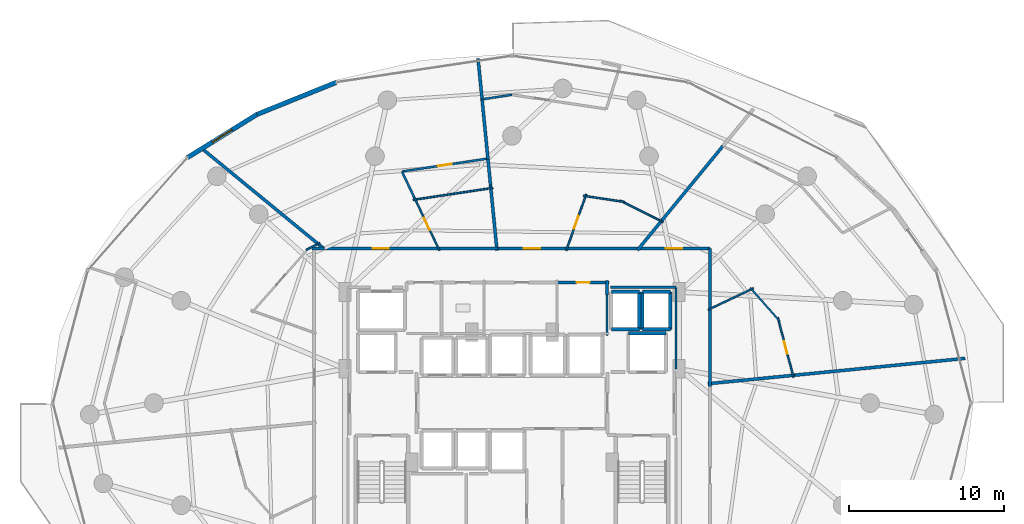
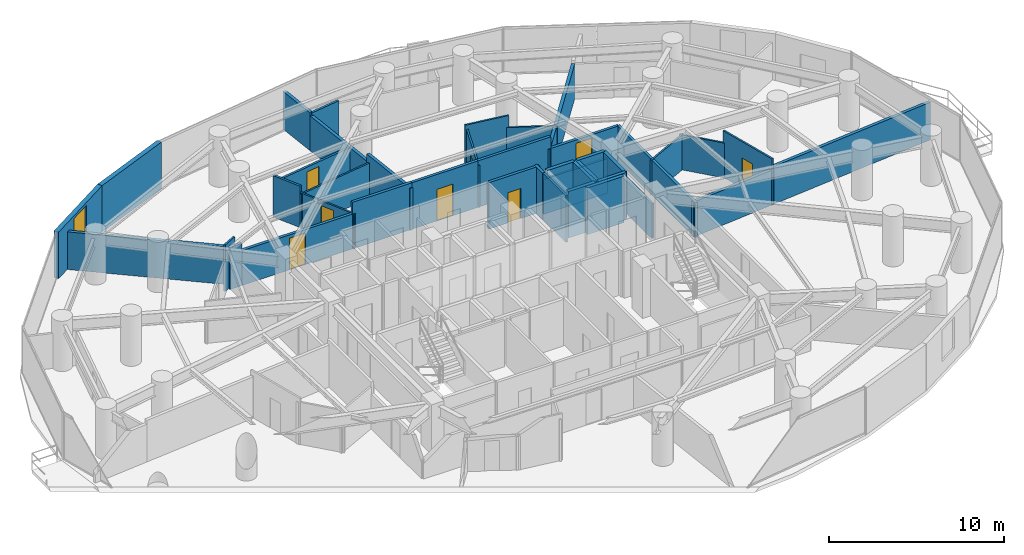
# One storey, part 26 of 30: 44 walls, 8 doors, 1 window, 9 openings.
"""IFC4 building model written with IfcOpenShell, lengths in metres."""

from ifc_helpers import new_model, si_unit, direction, frame, frame_2d, origin, place, context, subcontext, project, spatial, rectangle, extrude, material, layer, layer_set, type_object, element, fill, save


model = new_model("IFC4")

# Units and contexts
model_context = context("Model", 3, precision=1e-05, world=origin(), true_north=direction((0.0, 1.0)))
body_context = subcontext(model_context, "Body", "Model", "MODEL_VIEW")
ifc_project = project(units=[si_unit("LENGTHUNIT", "METRE"), si_unit("AREAUNIT", "SQUARE_METRE"), si_unit("VOLUMEUNIT", "CUBIC_METRE"), si_unit("PLANEANGLEUNIT", "RADIAN"), si_unit("MASSUNIT", "GRAM", prefix="KILO")], contexts=[model_context])

# Site, building, storey
site_placement = place(None, origin())
site = spatial("IfcSite", under=ifc_project, at=site_placement, CompositionType="ELEMENT")
building_placement = place(site_placement, origin())
building = spatial("IfcBuilding", under=site, at=building_placement, Name="Vorneva Point Tower", CompositionType="ELEMENT")
storey_placement = place(building_placement, frame((0.0, 0.0, 55.5)))
storey = spatial("IfcBuildingStorey", under=building, at=storey_placement, Name="L14", CompositionType="ELEMENT", Elevation=55.5)

# Walls
ifc_material_1 = material(Name="Concrete B60 (C50/60)", Category="concrete")
ifc_layer_1 = layer(ifc_material_1, 0.5)
ifc_layer_set_1 = layer_set([ifc_layer_1], Name="Concrete B60 (C50/60)")
wall_type_1 = type_object("IfcWallType", Name="WL-CORE-500", PredefinedType="SHEAR", material=ifc_layer_set_1)
wall_1_placement = place(storey_placement, frame((47.89990234375, 30.5, 0.0), z_axis=(0.0, 0.0, 1.0), x_axis=(-1.0, 0.0, 0.0)))
element("IfcWall", 1, at=wall_1_placement, inside=storey, type_object=wall_type_1, Name="L14 Lift FFL2 Shaft Wall +Y", PredefinedType="SHEAR", context=body_context, shape_type="SweptSolid", body=[
    extrude(rectangle(XDim=2.39990234375, YDim=0.219970703125, at=frame_2d((1.199951171875, 0.0))), origin(), (0.0, 0.0, 1.0), 3.239990234375),
])
ifc_material_2 = material(Name="Precast concrete B50 (C40/50)", Category="concrete")
ifc_layer_2 = layer(ifc_material_2, 0.300048828125)
ifc_layer_set_2 = layer_set([ifc_layer_2], Name="Precast concrete B50 (C40/50)")
wall_type_2 = type_object("IfcWallType", Name="WL-EXT-300", PredefinedType="STANDARD", material=ifc_layer_set_2)
wall_2_placement = place(storey_placement, frame((26.691650390625, 46.648681640625, 0.0), z_axis=(0.0, 0.0, 1.0), x_axis=(-0.927095325176, -0.374825636845, 0.0)))
element("IfcWall", 2, at=wall_2_placement, inside=storey, type_object=wall_type_2, Name="L14 Pale-Metal Facade Spandrel Wall 06.1", PredefinedType="STANDARD", context=body_context, shape_type="SweptSolid", body=[
    extrude(rectangle(XDim=5.51025390625, YDim=0.300048828125, at=frame_2d((2.755126953125, 0.0))), origin(), (0.0, 0.0, 1.0), 3.239990234375),
])

# Wall, opening, window
wall_3_placement = place(storey_placement, frame((21.5830078125, 44.583251953125, 0.0), z_axis=(0.0, 0.0, 1.0), x_axis=(-0.849633724826, -0.527373239404, 0.0)))
wall_3 = element("IfcWall", 3, at=wall_3_placement, inside=storey, type_object=wall_type_2, Name="L14 Pale-Metal Facade Spandrel Wall 06.2", PredefinedType="STANDARD", context=body_context, shape_type="SweptSolid", body=[
    extrude(rectangle(XDim=5.2705078125, YDim=0.300048828125, at=frame_2d((2.63525390625, 0.0))), origin(), (0.0, 0.0, 1.0), 3.239990234375),
])
opening_1_placement = place(wall_3_placement, frame((1.88525390625, 0.0, 0.85009765625)))
opening_1 = element("IfcOpeningElement", 4, at=opening_1_placement, cuts=wall_3, Name="Opening W-02", PredefinedType="OPENING", context=body_context, shape_type="SweptSolid", body=[
    extrude(rectangle(XDim=1.5, YDim=2.18994140625, at=frame_2d((0.75, 1.094970703125))), frame((0.0, 0.1650390625, 0.0), z_axis=(0.0, -1.0, 0.0), x_axis=(1.0, 0.0, 0.0)), (0.0, 0.0, 1.0), 0.329833984375),
])
ifc_material_3 = material(Name="Double low-e laminated glass IGU", Category="glass")
window_type = type_object("IfcWindowType", Name="WN-HTL-1500", PartitioningType="SINGLE_PANEL", PredefinedType="WINDOW", material=ifc_material_3)
window_placement = place(opening_1_placement, origin())
window = element("IfcWindow", 5, at=window_placement, inside=storey, type_object=window_type, Name="L14 Facade Window 06", OverallHeight=2.18994140625, OverallWidth=1.5, PartitioningType="SINGLE_PANEL", PredefinedType="WINDOW", context=body_context, shape_type="SweptSolid", body=[
    extrude(rectangle(XDim=1.5, YDim=2.18994140625, at=frame_2d((0.75, 1.094970703125))), frame((0.0, 0.030029296875, 0.0), z_axis=(0.0, -1.0, 0.0), x_axis=(1.0, 0.0, 0.0)), (0.0, 0.0, 1.0), 0.06005859375),
])
fill(opening_1, window)

# Walls
ifc_material_4 = material(Name="Fire-rated acoustic gypsum stud partition", Category="gypsum")
ifc_layer_3 = layer(ifc_material_4, 0.110107421875)
ifc_layer_set_3 = layer_set([ifc_layer_3], Name="Fire-rated acoustic gypsum stud partition")
wall_type_3 = type_object("IfcWallType", Name="WL-PART-110", PredefinedType="PARTITIONING", material=ifc_layer_set_3)
wall_4_placement = place(storey_placement, frame((50.62353515625, 32.0009765625, 0.0), z_axis=(0.0, 0.0, 1.0), x_axis=(0.903186785932, 0.429247748647, 0.0)))
element("IfcWall", 6, at=wall_4_placement, inside=storey, type_object=wall_type_3, Name="L14 Interior Partition 045", PredefinedType="PARTITIONING", context=body_context, shape_type="SweptSolid", body=[
    extrude(rectangle(XDim=3.23388671875, YDim=0.110107421875, at=frame_2d((1.616943359375, 0.0))), origin(), (0.0, 0.0, 1.0), 2.431884765625),
])
wall_5_placement = place(storey_placement, frame((53.3251953125, 33.433837890625, 0.0), z_axis=(0.0, 0.0, 1.0), x_axis=(0.661981720099, -0.749519981224, 0.0)))
element("IfcWall", 7, at=wall_5_placement, inside=storey, type_object=wall_type_3, Name="L14 Interior Partition 046", PredefinedType="PARTITIONING", context=body_context, shape_type="SweptSolid", body=[
    extrude(rectangle(XDim=2.89208984375, YDim=0.110107421875, at=frame_2d((1.446044921875, 0.0))), origin(), (0.0, 0.0, 1.0), 2.431884765625),
])

# Wall, opening, door
wall_6_placement = place(storey_placement, frame((55.111328125, 31.50634765625, 0.0), z_axis=(0.0, 0.0, 1.0), x_axis=(0.254405980461, -0.967097511684, 0.0)))
wall_6 = element("IfcWall", 8, at=wall_6_placement, inside=storey, type_object=wall_type_3, Name="L14 Interior Partition 047", PredefinedType="PARTITIONING", context=body_context, shape_type="SweptSolid", body=[
    extrude(rectangle(XDim=3.9912109375, YDim=0.110107421875, at=frame_2d((1.99560546875, 0.0))), origin(), (0.0, 0.0, 1.0), 3.239990234375),
])
opening_2_placement = place(wall_6_placement, frame((1.570556640625, 0.0, 0.0)))
opening_2 = element("IfcOpeningElement", 9, at=opening_2_placement, cuts=wall_6, Name="Opening ID-02", PredefinedType="OPENING", context=body_context, shape_type="SweptSolid", body=[
    extrude(rectangle(XDim=0.85009765625, YDim=2.10009765625, at=frame_2d((0.425048828125, 1.050048828125))), frame((0.0, 0.06982421875, 0.0), z_axis=(0.0, -1.0, 0.0), x_axis=(1.0, 0.0, 0.0)), (0.0, 0.0, 1.0), 0.139892578125),
])
ifc_material_5 = material(Name="Engineered oak fire-rated door leaf", Category="wood")
door_type_1 = type_object("IfcDoorType", Name="DR-BATH-850", OperationType="NOTDEFINED", PredefinedType="DOOR", material=ifc_material_5)
door_1_placement = place(opening_2_placement, origin())
door_1 = element("IfcDoor", 10, at=door_1_placement, inside=storey, type_object=door_type_1, Name="L14 Door Junior Suite L14-01 / En-Suite Bathroom L14-01", OperationType="SINGLE_SWING_RIGHT", OverallHeight=2.10009765625, OverallWidth=0.85009765625, PredefinedType="DOOR", context=body_context, shape_type="SweptSolid", body=[
    extrude(rectangle(XDim=0.85009765625, YDim=2.10009765625, at=frame_2d((0.425048828125, 1.050048828125))), frame((0.0, 0.02490234375, 0.0), z_axis=(0.0, -1.0, 0.0), x_axis=(1.0, 0.0, 0.0)), (0.0, 0.0, 1.0), 0.050048828125),
])
fill(opening_2, door_1)

wall_7_placement = place(storey_placement, frame((41.4912109375, 35.818115234375, 0.0), z_axis=(0.0, 0.0, 1.0), x_axis=(0.33515815105, 0.942161883004, 0.0)))
wall_7 = element("IfcWall", 11, at=wall_7_placement, inside=storey, type_object=wall_type_3, Name="L14 Interior Partition 056", PredefinedType="PARTITIONING", context=body_context, shape_type="SweptSolid", body=[
    extrude(rectangle(XDim=3.85986328125, YDim=0.110107421875, at=frame_2d((1.929931640625, 0.0))), origin(), (0.0, 0.0, 1.0), 2.928955078125),
])
opening_3_placement = place(wall_7_placement, frame((1.5048828125, 0.0, 0.0)))
opening_3 = element("IfcOpeningElement", 12, at=opening_3_placement, cuts=wall_7, Name="Opening ID-02", PredefinedType="OPENING", context=body_context, shape_type="SweptSolid", body=[
    extrude(rectangle(XDim=0.85009765625, YDim=2.10009765625, at=frame_2d((0.425048828125, 1.050048828125))), frame((0.0, 0.06982421875, 0.0), z_axis=(0.0, -1.0, 0.0), x_axis=(1.0, 0.0, 0.0)), (0.0, 0.0, 1.0), 0.139892578125),
])
door_2_placement = place(opening_3_placement, origin())
door_2 = element("IfcDoor", 13, at=door_2_placement, inside=storey, type_object=door_type_1, Name="L14 Door Executive Suite L14-02 / En-Suite Bathroom L14-02", OperationType="SINGLE_SWING_RIGHT", OverallHeight=2.10009765625, OverallWidth=0.85009765625, PredefinedType="DOOR", context=body_context, shape_type="SweptSolid", body=[
    extrude(rectangle(XDim=0.85009765625, YDim=2.10009765625, at=frame_2d((0.425048828125, 1.050048828125))), frame((0.0, 0.02490234375, 0.0), z_axis=(0.0, -1.0, 0.0), x_axis=(1.0, 0.0, 0.0)), (0.0, 0.0, 1.0), 0.050048828125),
])
fill(opening_3, door_2)

# Walls
wall_8_placement = place(storey_placement, frame((42.599609375, 39.34375, 0.0), z_axis=(0.0, 0.0, 1.0), x_axis=(0.988924954203, -0.148416424141, 0.0)))
element("IfcWall", 14, at=wall_8_placement, inside=storey, type_object=wall_type_3, Name="L14 Interior Partition 057", PredefinedType="PARTITIONING", context=body_context, shape_type="SweptSolid", body=[
    extrude(rectangle(XDim=2.67138671875, YDim=0.110107421875, at=frame_2d((1.335693359375, 0.0))), origin(), (0.0, 0.0, 1.0), 3.239990234375),
])
wall_9_placement = place(storey_placement, frame((44.97802734375, 39.03125, 0.0), z_axis=(0.0, 0.0, 1.0), x_axis=(0.892423163915, -0.451199397725, 0.0)))
element("IfcWall", 15, at=wall_9_placement, inside=storey, type_object=wall_type_3, Name="L14 Interior Partition 058", PredefinedType="PARTITIONING", context=body_context, shape_type="SweptSolid", body=[
    extrude(rectangle(XDim=3.083740234375, YDim=0.110107421875, at=frame_2d((1.5419921875, 0.0))), origin(), (0.0, 0.0, 1.0), 2.431884765625),
])

# Wall, opening, door
wall_10_placement = place(storey_placement, frame((33.330078125, 35.823486328125, 0.0), z_axis=(0.0, 0.0, 1.0), x_axis=(-0.429339722165, 0.903143068938, 0.0)))
wall_10 = element("IfcWall", 16, at=wall_10_placement, inside=storey, type_object=wall_type_3, Name="L14 Interior Partition 067", PredefinedType="PARTITIONING", context=body_context, shape_type="SweptSolid", body=[
    extrude(rectangle(XDim=3.7666015625, YDim=0.110107421875, at=frame_2d((1.88330078125, 0.0))), origin(), (0.0, 0.0, 1.0), 2.431884765625),
])
opening_4_placement = place(wall_10_placement, frame((1.458251953125, 0.0, 0.0)))
opening_4 = element("IfcOpeningElement", 17, at=opening_4_placement, cuts=wall_10, Name="Opening ID-02", PredefinedType="OPENING", context=body_context, shape_type="SweptSolid", body=[
    extrude(rectangle(XDim=0.85009765625, YDim=2.10009765625, at=frame_2d((0.425048828125, 1.050048828125))), frame((0.0, 0.06982421875, 0.0), z_axis=(0.0, -1.0, 0.0), x_axis=(1.0, 0.0, 0.0)), (0.0, 0.0, 1.0), 0.139892578125),
])
door_3_placement = place(opening_4_placement, origin())
door_3 = element("IfcDoor", 18, at=door_3_placement, inside=storey, type_object=door_type_1, Name="L14 Door Corner Suite L14-03 / En-Suite Bathroom L14-03", OperationType="SINGLE_SWING_RIGHT", OverallHeight=2.10009765625, OverallWidth=0.85009765625, PredefinedType="DOOR", context=body_context, shape_type="SweptSolid", body=[
    extrude(rectangle(XDim=0.85009765625, YDim=2.10009765625, at=frame_2d((0.425048828125, 1.050048828125))), frame((0.0, 0.02490234375, 0.0), z_axis=(0.0, -1.0, 0.0), x_axis=(1.0, 0.0, 0.0)), (0.0, 0.0, 1.0), 0.050048828125),
])
fill(opening_4, door_3)

# Walls
wall_11_placement = place(storey_placement, frame((36.7763671875, 39.851806640625, 0.0), z_axis=(0.0, 0.0, 1.0), x_axis=(-0.988868403521, -0.148792743496, 0.0)))
element("IfcWall", 19, at=wall_11_placement, inside=storey, type_object=wall_type_3, Name="L14 Interior Partition 071", PredefinedType="PARTITIONING", context=body_context, shape_type="SweptSolid", body=[
    extrude(rectangle(XDim=5.19970703125, YDim=0.110107421875, at=frame_2d((2.599853515625, 0.0))), origin(), (0.0, 0.0, 1.0), 2.431884765625),
])
wall_12_placement = place(storey_placement, frame((24.7509765625, 35.86181640625, 0.0), z_axis=(0.0, 0.0, 1.0), x_axis=(0.892702438486, 0.450646598037, 0.0)))
element("IfcWall", 20, at=wall_12_placement, inside=storey, type_object=wall_type_3, Name="L14 Interior Partition 074", PredefinedType="PARTITIONING", context=body_context, shape_type="SweptSolid", body=[
    extrude(rectangle(XDim=0.99462890625, YDim=0.110107421875, at=frame_2d((0.497314453125, 0.0))), origin(), (0.0, 0.0, 1.0), 3.239990234375),
])
ifc_layer_4 = layer(ifc_material_4, 0.139892578125)
ifc_layer_set_4 = layer_set([ifc_layer_4], Name="Fire-rated acoustic gypsum stud partition")
wall_type_4 = type_object("IfcWallType", Name="WL-PART-140", PredefinedType="PARTITIONING", material=ifc_layer_set_4)
wall_13_placement = place(storey_placement, frame((38.0, 45.843994140625, 0.0), z_axis=(0.0, 0.0, 1.0), x_axis=(-0.988850683948, -0.148910459188, 0.0)))
element("IfcWall", 21, at=wall_13_placement, inside=storey, type_object=wall_type_4, Name="L14 Interior Partition 062", PredefinedType="PARTITIONING", context=body_context, shape_type="SweptSolid", body=[
    extrude(rectangle(XDim=1.94775390625, YDim=0.139892578125, at=frame_2d((0.973876953125, 0.0))), origin(), (0.0, 0.0, 1.0), 2.6240234375),
])
wall_14_placement = place(storey_placement, frame((31.712890625, 39.225341796875, 0.0), z_axis=(0.0, 0.0, 1.0), x_axis=(-0.429281598359, 0.90317069777, 0.0)))
element("IfcWall", 22, at=wall_14_placement, inside=storey, type_object=wall_type_4, Name="L14 Interior Partition 068", PredefinedType="PARTITIONING", context=body_context, shape_type="SweptSolid", body=[
    extrude(rectangle(XDim=1.86083984375, YDim=0.139892578125, at=frame_2d((0.930419921875, 0.0))), origin(), (0.0, 0.0, 1.0), 2.885986328125),
])

# Wall, opening, door
wall_15_placement = place(storey_placement, frame((30.9140625, 40.906005859375, 0.0), z_axis=(0.0, 0.0, 1.0), x_axis=(0.988867472121, 0.148798933401, 0.0)))
wall_15 = element("IfcWall", 23, at=wall_15_placement, inside=storey, type_object=wall_type_4, Name="L14 Interior Partition 069", PredefinedType="PARTITIONING", context=body_context, shape_type="SweptSolid", body=[
    extrude(rectangle(XDim=5.59814453125, YDim=0.139892578125, at=frame_2d((2.799072265625, 0.0))), origin(), (0.0, 0.0, 1.0), 2.431884765625),
])
opening_5_placement = place(wall_15_placement, frame((2.34912109375, 0.0, 0.0)))
opening_5 = element("IfcOpeningElement", 24, at=opening_5_placement, cuts=wall_15, Name="Opening ID-01", PredefinedType="OPENING", context=body_context, shape_type="SweptSolid", body=[
    extrude(rectangle(XDim=0.89990234375, YDim=2.10009765625, at=frame_2d((0.449951171875, 1.050048828125))), frame((0.0, 0.0849609375, 0.0), z_axis=(0.0, -1.0, 0.0), x_axis=(1.0, 0.0, 0.0)), (0.0, 0.0, 1.0), 0.169677734375),
])
door_type_2 = type_object("IfcDoorType", Name="DR-ROOM-900", OperationType="NOTDEFINED", PredefinedType="DOOR", material=ifc_material_5)
door_4_placement = place(opening_5_placement, origin())
door_4 = element("IfcDoor", 25, at=door_4_placement, inside=storey, type_object=door_type_2, Name="L14 Door Corner Suite L14-03 / Suite Sitting Study L14-03", OperationType="SINGLE_SWING_LEFT", OverallHeight=2.10009765625, OverallWidth=0.89990234375, PredefinedType="DOOR", context=body_context, shape_type="SweptSolid", body=[
    extrude(rectangle(XDim=0.89990234375, YDim=2.10009765625, at=frame_2d((0.449951171875, 1.050048828125))), frame((0.0, 0.02490234375, 0.0), z_axis=(0.0, -1.0, 0.0), x_axis=(1.0, 0.0, 0.0)), (0.0, 0.0, 1.0), 0.050048828125),
])
fill(opening_5, door_4)

# Walls
wall_16_placement = place(storey_placement, frame((44.1201171875, 30.340087890625, 0.0), z_axis=(0.0, 0.0, 1.0), x_axis=(0.0, 1.0, 0.0)))
element("IfcWall", 26, at=wall_16_placement, inside=storey, type_object=wall_type_4, Name="L14 Interior Closure Partition 101", PredefinedType="PARTITIONING", context=body_context, shape_type="SweptSolid", body=[
    extrude(rectangle(XDim=2.659912109375, YDim=0.139892578125, at=frame_2d((1.330078125, 0.0))), origin(), (0.0, 0.0, 1.0), 3.239990234375),
])
wall_17_placement = place(storey_placement, frame((44.340087890625, 33.449951171875, 0.0), z_axis=(0.0, 0.0, 1.0), x_axis=(1.0, 0.0, 0.0)))
element("IfcWall", 27, at=wall_17_placement, inside=storey, type_object=wall_type_4, Name="L14 Interior Closure Partition 104", PredefinedType="PARTITIONING", context=body_context, shape_type="SweptSolid", body=[
    extrude(rectangle(XDim=4.2099609375, YDim=0.139892578125, at=frame_2d((2.10498046875, 0.0))), origin(), (0.0, 0.0, 1.0), 2.431884765625),
])
wall_18_placement = place(storey_placement, frame((48.550048828125, 33.449951171875, 0.0), z_axis=(0.0, 0.0, 1.0), x_axis=(0.0, -1.0, 0.0)))
element("IfcWall", 28, at=wall_18_placement, inside=storey, type_object=wall_type_4, Name="L14 Interior Closure Partition 105", PredefinedType="PARTITIONING", context=body_context, shape_type="SweptSolid", body=[
    extrude(rectangle(XDim=5.25390625, YDim=0.139892578125, at=frame_2d((2.626953125, 0.0))), origin(), (0.0, 0.0, 1.0), 2.431884765625),
])

# Wall, opening, door
ifc_material_6 = material(Name="Autoclaved aerated concrete blockwork", Category="masonry")
ifc_layer_5 = layer(ifc_material_6, 0.179931640625)
ifc_layer_set_5 = layer_set([ifc_layer_5], Name="Autoclaved aerated concrete blockwork")
wall_type_5 = type_object("IfcWallType", Name="WL-PART-180", PredefinedType="PARTITIONING", material=ifc_layer_set_5)
wall_19_placement = place(storey_placement, frame((44.260009765625, 33.760009765625, 0.0), z_axis=(0.0, 0.0, 1.0), x_axis=(-1.0, 0.0, 0.0)))
wall_19 = element("IfcWall", 29, at=wall_19_placement, inside=storey, type_object=wall_type_5, Name="L14 Interior Partition 019", PredefinedType="PARTITIONING", context=body_context, shape_type="SweptSolid", body=[
    extrude(rectangle(XDim=3.360107421875, YDim=0.179931640625, at=frame_2d((1.68017578125, 0.0))), origin(), (0.0, 0.0, 1.0), 3.239990234375),
])
opening_6_placement = place(wall_19_placement, frame((1.2548828125, 0.0, 0.0)))
opening_6 = element("IfcOpeningElement", 30, at=opening_6_placement, cuts=wall_19, Name="Opening ID-02", PredefinedType="OPENING", context=body_context, shape_type="SweptSolid", body=[
    extrude(rectangle(XDim=0.85009765625, YDim=2.10009765625, at=frame_2d((0.425048828125, 1.050048828125))), frame((0.0, 0.10498046875, 0.0), z_axis=(0.0, -1.0, 0.0), x_axis=(1.0, 0.0, 0.0)), (0.0, 0.0, 1.0), 0.209716796875),
])
door_5_placement = place(opening_6_placement, origin())
door_5 = element("IfcDoor", 31, at=door_5_placement, inside=storey, type_object=door_type_1, Name="L14 Door Accessible WC / L14 Circulation Corridor", OperationType="SINGLE_SWING_LEFT", OverallHeight=2.10009765625, OverallWidth=0.85009765625, PredefinedType="DOOR", context=body_context, shape_type="SweptSolid", body=[
    extrude(rectangle(XDim=0.85009765625, YDim=2.10009765625, at=frame_2d((0.425048828125, 1.050048828125))), frame((0.0, 0.02490234375, 0.0), z_axis=(0.0, -1.0, 0.0), x_axis=(1.0, 0.0, 0.0)), (0.0, 0.0, 1.0), 0.050048828125),
])
fill(opening_6, door_5)

# Walls
wall_20_placement = place(storey_placement, frame((44.1201171875, 32.969970703125, 0.0), z_axis=(0.0, 0.0, 1.0), x_axis=(0.0, 1.0, 0.0)))
element("IfcWall", 32, at=wall_20_placement, inside=storey, type_object=wall_type_5, Name="L14 Interior Partition 020", PredefinedType="PARTITIONING", context=body_context, shape_type="SweptSolid", body=[
    extrude(rectangle(XDim=0.929931640625, YDim=0.179931640625, at=frame_2d((0.46484375, 0.0))), origin(), (0.0, 0.0, 1.0), 3.239990234375),
])
wall_21_placement = place(storey_placement, frame((50.75, 32.0009765625, 0.0), z_axis=(0.0, 0.0, 1.0), x_axis=(0.0, 1.0, 0.0)))
element("IfcWall", 33, at=wall_21_placement, inside=storey, type_object=wall_type_5, Name="L14 Interior Partition 024", PredefinedType="PARTITIONING", context=body_context, shape_type="SweptSolid", body=[
    extrude(rectangle(XDim=3.948974609375, YDim=0.179931640625, at=frame_2d((1.974609375, 0.0))), origin(), (0.0, 0.0, 1.0), 2.431884765625),
])

# Wall, opening, door
wall_22_placement = place(storey_placement, frame((50.75, 35.949951171875, 0.0), z_axis=(0.0, 0.0, 1.0), x_axis=(-1.0, 0.0, 0.0)))
wall_22 = element("IfcWall", 34, at=wall_22_placement, inside=storey, type_object=wall_type_5, Name="L14 Interior Partition 025", PredefinedType="PARTITIONING", context=body_context, shape_type="SweptSolid", body=[
    extrude(rectangle(XDim=4.64404296875, YDim=0.179931640625, at=frame_2d((2.322021484375, 0.0))), origin(), (0.0, 0.0, 1.0), 2.431884765625),
])
opening_7_placement = place(wall_22_placement, frame((1.797119140625, 0.0, 0.0)))
opening_7 = element("IfcOpeningElement", 35, at=opening_7_placement, cuts=wall_22, Name="Opening UD-02", PredefinedType="OPENING", context=body_context, shape_type="SweptSolid", body=[
    extrude(rectangle(XDim=1.050048828125, YDim=2.199951171875, at=frame_2d((0.52490234375, 1.10009765625))), frame((0.0, 0.10498046875, 0.0), z_axis=(0.0, -1.0, 0.0), x_axis=(1.0, 0.0, 0.0)), (0.0, 0.0, 1.0), 0.209716796875),
])
door_type_3 = type_object("IfcDoorType", Name="DR-SUITE-1050", OperationType="NOTDEFINED", PredefinedType="DOOR", material=ifc_material_5)
door_6_placement = place(opening_7_placement, origin())
door_6 = element("IfcDoor", 36, at=door_6_placement, inside=storey, type_object=door_type_3, Name="L14 Door L14 Circulation Corridor / Junior Suite L14-01", OperationType="SINGLE_SWING_RIGHT", OverallHeight=2.199951171875, OverallWidth=1.050048828125, PredefinedType="DOOR", context=body_context, shape_type="SweptSolid", body=[
    extrude(rectangle(XDim=1.050048828125, YDim=2.199951171875, at=frame_2d((0.52490234375, 1.10009765625))), frame((0.0, 0.02490234375, 0.0), z_axis=(0.0, -1.0, 0.0), x_axis=(1.0, 0.0, 0.0)), (0.0, 0.0, 1.0), 0.050048828125),
])
fill(opening_7, door_6)

# Wall
wall_23_placement = place(storey_placement, frame((50.75, 27.055908203125, 0.0), z_axis=(0.0, 0.0, 1.0), x_axis=(0.0, 1.0, 0.0)))
element("IfcWall", 37, at=wall_23_placement, inside=storey, type_object=wall_type_5, Name="L14 Interior Partition 026", PredefinedType="PARTITIONING", context=body_context, shape_type="SweptSolid", body=[
    extrude(rectangle(XDim=5.085205078125, YDim=0.179931640625, at=frame_2d((2.54248046875, 0.0))), origin(), (0.0, 0.0, 1.0), 2.431884765625),
])

# Wall, opening, door
wall_24_placement = place(storey_placement, frame((41.60205078125, 35.949951171875, 0.0), z_axis=(0.0, 0.0, 1.0), x_axis=(-1.0, 0.0, 0.0)))
wall_24 = element("IfcWall", 38, at=wall_24_placement, inside=storey, type_object=wall_type_5, Name="L14 Interior Partition 027", PredefinedType="PARTITIONING", context=body_context, shape_type="SweptSolid", body=[
    extrude(rectangle(XDim=4.64208984375, YDim=0.179931640625, at=frame_2d((2.321044921875, 0.0))), origin(), (0.0, 0.0, 1.0), 3.239990234375),
])
opening_8_placement = place(wall_24_placement, frame((1.7958984375, 0.0, 0.0)))
opening_8 = element("IfcOpeningElement", 39, at=opening_8_placement, cuts=wall_24, Name="Opening UD-02", PredefinedType="OPENING", context=body_context, shape_type="SweptSolid", body=[
    extrude(rectangle(XDim=1.050048828125, YDim=2.199951171875, at=frame_2d((0.52490234375, 1.10009765625))), frame((0.0, 0.10498046875, 0.0), z_axis=(0.0, -1.0, 0.0), x_axis=(1.0, 0.0, 0.0)), (0.0, 0.0, 1.0), 0.209716796875),
])
door_7_placement = place(opening_8_placement, origin())
door_7 = element("IfcDoor", 40, at=door_7_placement, inside=storey, type_object=door_type_3, Name="L14 Door L14 Circulation Corridor / Executive Suite L14-02", OperationType="SINGLE_SWING_LEFT", OverallHeight=2.199951171875, OverallWidth=1.050048828125, PredefinedType="DOOR", context=body_context, shape_type="SweptSolid", body=[
    extrude(rectangle(XDim=1.050048828125, YDim=2.199951171875, at=frame_2d((0.52490234375, 1.10009765625))), frame((0.0, 0.02490234375, 0.0), z_axis=(0.0, -1.0, 0.0), x_axis=(1.0, 0.0, 0.0)), (0.0, 0.0, 1.0), 0.050048828125),
])
fill(opening_8, door_7)

# Wall
wall_25_placement = place(storey_placement, frame((46.24609375, 35.949951171875, 0.0), z_axis=(0.0, 0.0, 1.0), x_axis=(-1.0, 0.0, 0.0)))
element("IfcWall", 41, at=wall_25_placement, inside=storey, type_object=wall_type_5, Name="L14 Interior Partition 028", PredefinedType="PARTITIONING", context=body_context, shape_type="SweptSolid", body=[
    extrude(rectangle(XDim=4.7841796875, YDim=0.179931640625, at=frame_2d((2.39208984375, 0.0))), origin(), (0.0, 0.0, 1.0), 3.239990234375),
])

# Wall, opening, door
wall_26_placement = place(storey_placement, frame((33.330078125, 35.949951171875, 0.0), z_axis=(0.0, 0.0, 1.0), x_axis=(-1.0, 0.0, 0.0)))
wall_26 = element("IfcWall", 42, at=wall_26_placement, inside=storey, type_object=wall_type_5, Name="L14 Interior Partition 029", PredefinedType="PARTITIONING", context=body_context, shape_type="SweptSolid", body=[
    extrude(rectangle(XDim=7.549072265625, YDim=0.179931640625, at=frame_2d((3.7744140625, 0.0))), origin(), (0.0, 0.0, 1.0), 2.431884765625),
])
opening_9_placement = place(wall_26_placement, frame((3.24951171875, 0.0, 0.0)))
opening_9 = element("IfcOpeningElement", 43, at=opening_9_placement, cuts=wall_26, Name="Opening UD-02", PredefinedType="OPENING", context=body_context, shape_type="SweptSolid", body=[
    extrude(rectangle(XDim=1.050048828125, YDim=2.199951171875, at=frame_2d((0.52490234375, 1.10009765625))), frame((0.0, 0.10498046875, 0.0), z_axis=(0.0, -1.0, 0.0), x_axis=(1.0, 0.0, 0.0)), (0.0, 0.0, 1.0), 0.209716796875),
])
door_8_placement = place(opening_9_placement, origin())
door_8 = element("IfcDoor", 44, at=door_8_placement, inside=storey, type_object=door_type_3, Name="L14 Door L14 Circulation Corridor / Corner Suite L14-03", OperationType="SINGLE_SWING_RIGHT", OverallHeight=2.199951171875, OverallWidth=1.050048828125, PredefinedType="DOOR", context=body_context, shape_type="SweptSolid", body=[
    extrude(rectangle(XDim=1.050048828125, YDim=2.199951171875, at=frame_2d((0.52490234375, 1.10009765625))), frame((0.0, 0.02490234375, 0.0), z_axis=(0.0, -1.0, 0.0), x_axis=(1.0, 0.0, 0.0)), (0.0, 0.0, 1.0), 0.050048828125),
])
fill(opening_9, door_8)

# Walls
wall_27_placement = place(storey_placement, frame((37.10009765625, 35.949951171875, 0.0), z_axis=(0.0, 0.0, 1.0), x_axis=(-1.0, 0.0, 0.0)))
element("IfcWall", 45, at=wall_27_placement, inside=storey, type_object=wall_type_5, Name="L14 Interior Partition 030", PredefinedType="PARTITIONING", context=body_context, shape_type="SweptSolid", body=[
    extrude(rectangle(XDim=3.91015625, YDim=0.179931640625, at=frame_2d((1.955078125, 0.0))), origin(), (0.0, 0.0, 1.0), 3.239990234375),
])
wall_28_placement = place(storey_placement, frame((25.9208984375, 35.949951171875, 0.0), z_axis=(0.0, 0.0, 1.0), x_axis=(-1.0, 0.0, 0.0)))
element("IfcWall", 46, at=wall_28_placement, inside=storey, type_object=wall_type_5, Name="L14 Interior Partition 032", PredefinedType="PARTITIONING", context=body_context, shape_type="SweptSolid", body=[
    extrude(rectangle(XDim=0.810791015625, YDim=0.179931640625, at=frame_2d((0.4052734375, 0.0))), origin(), (0.0, 0.0, 1.0), 2.928955078125),
])
ifc_layer_6 = layer(ifc_material_6, 0.199951171875)
ifc_layer_set_6 = layer_set([ifc_layer_6], Name="Autoclaved aerated concrete blockwork")
wall_type_6 = type_object("IfcWallType", Name="WL-PART-200", PredefinedType="PARTITIONING", material=ifc_layer_set_6)
wall_29_placement = place(storey_placement, frame((51.5791015625, 42.5458984375, 0.0), z_axis=(0.0, 0.0, 1.0), x_axis=(-0.634407686013, -0.772998633846, 0.0)))
element("IfcWall", 47, at=wall_29_placement, inside=storey, type_object=wall_type_6, Name="L14 Interior Partition 051", PredefinedType="PARTITIONING", context=body_context, shape_type="SweptSolid", body=[
    extrude(rectangle(XDim=6.325927734375, YDim=0.199951171875, at=frame_2d((3.1630859375, 0.0))), origin(), (0.0, 0.0, 1.0), 2.431884765625),
])
wall_30_placement = place(storey_placement, frame((47.65478515625, 37.764404296875, 0.0), z_axis=(0.0, 0.0, 1.0), x_axis=(-0.634343688691, -0.773051152653, 0.0)))
element("IfcWall", 48, at=wall_30_placement, inside=storey, type_object=wall_type_6, Name="L14 Interior Partition 052", PredefinedType="PARTITIONING", context=body_context, shape_type="SweptSolid", body=[
    extrude(rectangle(XDim=2.487060546875, YDim=0.199951171875, at=frame_2d((1.24365234375, 0.0))), origin(), (0.0, 0.0, 1.0), 2.431884765625),
])
wall_31_placement = place(storey_placement, frame((56.091064453125, 27.781982421875, 0.0), z_axis=(0.0, 0.0, 1.0), x_axis=(0.995181539585, 0.098049493977, 0.0)))
element("IfcWall", 49, at=wall_31_placement, inside=storey, type_object=wall_type_6, Name="L14 Interior Partition 053", PredefinedType="PARTITIONING", context=body_context, shape_type="SweptSolid", body=[
    extrude(rectangle(XDim=11.1376953125, YDim=0.199951171875, at=frame_2d((5.56884765625, 0.0))), origin(), (0.0, 0.0, 1.0), 2.6240234375),
])
wall_32_placement = place(storey_placement, frame((50.610595703125, 27.2421875, 0.0), z_axis=(0.0, 0.0, 1.0), x_axis=(0.995185043486, 0.098013923607, 0.0)))
element("IfcWall", 50, at=wall_32_placement, inside=storey, type_object=wall_type_6, Name="L14 Interior Partition 054", PredefinedType="PARTITIONING", context=body_context, shape_type="SweptSolid", body=[
    extrude(rectangle(XDim=5.646728515625, YDim=0.199951171875, at=frame_2d((2.8232421875, 0.0))), origin(), (0.0, 0.0, 1.0), 2.431884765625),
])
wall_33_placement = place(storey_placement, frame((36.073974609375, 45.553955078125, 0.0), z_axis=(0.0, 0.0, 1.0), x_axis=(0.098125465648, -0.995174051607, 0.0)))
element("IfcWall", 51, at=wall_33_placement, inside=storey, type_object=wall_type_6, Name="L14 Interior Partition 063", PredefinedType="PARTITIONING", context=body_context, shape_type="SweptSolid", body=[
    extrude(rectangle(XDim=3.893798828125, YDim=0.199951171875, at=frame_2d((1.94677734375, 0.0))), origin(), (0.0, 0.0, 1.0), 2.431884765625),
])
wall_34_placement = place(storey_placement, frame((36.618408203125, 40.0302734375, 0.0), z_axis=(0.0, 0.0, 1.0), x_axis=(0.09794716995, -0.995191615669, 0.0)))
element("IfcWall", 52, at=wall_34_placement, inside=storey, type_object=wall_type_6, Name="L14 Interior Partition 064", PredefinedType="PARTITIONING", context=body_context, shape_type="SweptSolid", body=[
    extrude(rectangle(XDim=4.239990234375, YDim=0.199951171875, at=frame_2d((2.1201171875, 0.0))), origin(), (0.0, 0.0, 1.0), 2.928955078125),
])
wall_35_placement = place(storey_placement, frame((36.455810546875, 41.678955078125, 0.0), z_axis=(0.0, 0.0, 1.0), x_axis=(0.098146679276, -0.995171959687, 0.0)))
element("IfcWall", 53, at=wall_35_placement, inside=storey, type_object=wall_type_6, Name="L14 Interior Partition 065", PredefinedType="PARTITIONING", context=body_context, shape_type="SweptSolid", body=[
    extrude(rectangle(XDim=1.65673828125, YDim=0.199951171875, at=frame_2d((0.828369140625, 0.0))), origin(), (0.0, 0.0, 1.0), 2.431884765625),
])
wall_36_placement = place(storey_placement, frame((35.81494140625, 48.18701171875, 0.0), z_axis=(0.0, 0.0, 1.0), x_axis=(0.097904750383, -0.995195789708, 0.0)))
element("IfcWall", 54, at=wall_36_placement, inside=storey, type_object=wall_type_6, Name="L14 Interior Partition 066", PredefinedType="PARTITIONING", context=body_context, shape_type="SweptSolid", body=[
    extrude(rectangle(XDim=2.645751953125, YDim=0.199951171875, at=frame_2d((1.32275390625, 0.0))), origin(), (0.0, 0.0, 1.0), 2.6240234375),
])
wall_37_placement = place(storey_placement, frame((18.0400390625, 42.381103515625, 0.0), z_axis=(0.0, 0.0, 1.0), x_axis=(0.772992813725, -0.634414777515, 0.0)))
element("IfcWall", 55, at=wall_37_placement, inside=storey, type_object=wall_type_6, Name="L14 Interior Partition 070", PredefinedType="PARTITIONING", context=body_context, shape_type="SweptSolid", body=[
    extrude(rectangle(XDim=10.13720703125, YDim=0.199951171875, at=frame_2d((5.068603515625, 0.0))), origin(), (0.0, 0.0, 1.0), 2.6240234375),
])
ifc_material_7 = material(Name="Concrete B50 (C40/50)", Category="concrete")
ifc_layer_7 = layer(ifc_material_7, 0.219970703125)
ifc_layer_set_7 = layer_set([ifc_layer_7], Name="Concrete B50 (C40/50)")
wall_type_7 = type_object("IfcWallType", Name="WL-SHFT-220", PredefinedType="SOLIDWALL", material=ifc_layer_set_7)
wall_38_placement = place(storey_placement, frame((44.39990234375, 30.739990234375, 0.0), z_axis=(0.0, 0.0, 1.0), x_axis=(1.0, 0.0, 0.0)))
element("IfcWall", 56, at=wall_38_placement, inside=storey, type_object=wall_type_7, Name="L14 Lift EX1 Shaft Wall -Y", PredefinedType="SOLIDWALL", context=body_context, shape_type="SweptSolid", body=[
    extrude(rectangle(XDim=1.800048828125, YDim=0.219970703125, at=frame_2d((0.89990234375, 0.0))), origin(), (0.0, 0.0, 1.0), 3.239990234375),
])
wall_39_placement = place(storey_placement, frame((46.199951171875, 30.739990234375, 0.0), z_axis=(0.0, 0.0, 1.0), x_axis=(0.0, 1.0, 0.0)))
element("IfcWall", 57, at=wall_39_placement, inside=storey, type_object=wall_type_7, Name="L14 Lift EX1 Shaft Wall +X", PredefinedType="SOLIDWALL", context=body_context, shape_type="SweptSolid", body=[
    extrude(rectangle(XDim=2.419921875, YDim=0.219970703125, at=frame_2d((1.2099609375, 0.0))), origin(), (0.0, 0.0, 1.0), 3.239990234375),
])
for number, where, z_axis, x_axis, name in (
    (58, (46.199951171875, 33.159912109375, 0.0), (0.0, 0.0, 1.0), (-1.0, 0.0, 0.0), "L14 Lift EX1 Shaft Wall +Y"),
    (59, (46.39990234375, 30.739990234375, 0.0), (0.0, 0.0, 1.0), (1.0, 0.0, 0.0), "L14 Lift EX2 Shaft Wall -Y"),
):
    element("IfcWall", number, at=place(storey_placement, frame(where, z_axis=z_axis, x_axis=x_axis)), inside=storey, type_object=wall_type_7, Name=name, PredefinedType="SOLIDWALL", context=body_context, shape_type="SweptSolid", body=[
        extrude(rectangle(XDim=1.800048828125, YDim=0.219970703125, at=frame_2d((0.89990234375, 0.0))), origin(), (0.0, 0.0, 1.0), 3.239990234375),
    ])
wall_40_placement = place(storey_placement, frame((48.199951171875, 30.739990234375, 0.0), z_axis=(0.0, 0.0, 1.0), x_axis=(0.0, 1.0, 0.0)))
element("IfcWall", 60, at=wall_40_placement, inside=storey, type_object=wall_type_7, Name="L14 Lift EX2 Shaft Wall +X", PredefinedType="SOLIDWALL", context=body_context, shape_type="SweptSolid", body=[
    extrude(rectangle(XDim=2.419921875, YDim=0.219970703125, at=frame_2d((1.2099609375, 0.0))), origin(), (0.0, 0.0, 1.0), 3.239990234375),
])
wall_41_placement = place(storey_placement, frame((48.199951171875, 33.159912109375, 0.0), z_axis=(0.0, 0.0, 1.0), x_axis=(-1.0, 0.0, 0.0)))
element("IfcWall", 61, at=wall_41_placement, inside=storey, type_object=wall_type_7, Name="L14 Lift EX2 Shaft Wall +Y", PredefinedType="SOLIDWALL", context=body_context, shape_type="SweptSolid", body=[
    extrude(rectangle(XDim=1.800048828125, YDim=0.219970703125, at=frame_2d((0.89990234375, 0.0))), origin(), (0.0, 0.0, 1.0), 3.239990234375),
])
wall_42_placement = place(storey_placement, frame((46.39990234375, 33.159912109375, 0.0), z_axis=(0.0, 0.0, 1.0), x_axis=(0.0, -1.0, 0.0)))
element("IfcWall", 62, at=wall_42_placement, inside=storey, type_object=wall_type_7, Name="L14 Lift EX2 Shaft Wall -X", PredefinedType="SOLIDWALL", context=body_context, shape_type="SweptSolid", body=[
    extrude(rectangle(XDim=2.419921875, YDim=0.219970703125, at=frame_2d((1.2099609375, 0.0))), origin(), (0.0, 0.0, 1.0), 3.239990234375),
])

save(model, "model.ifc")
